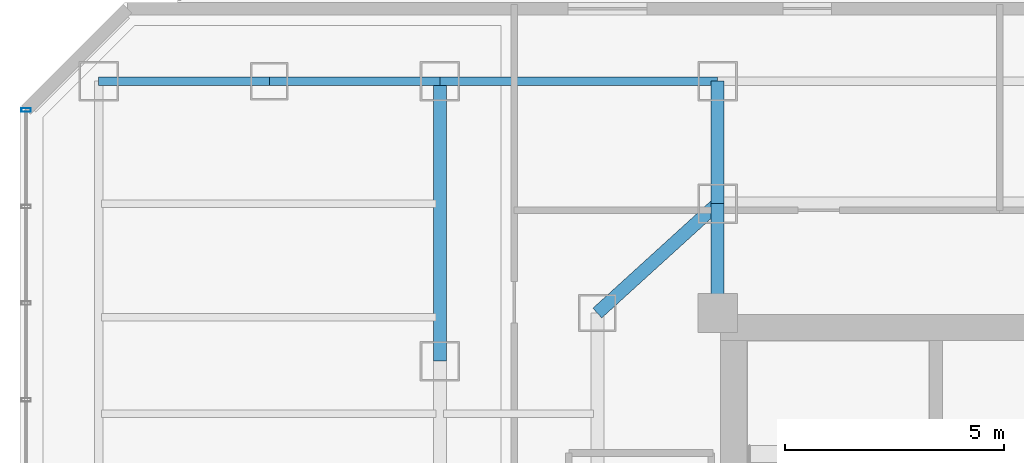
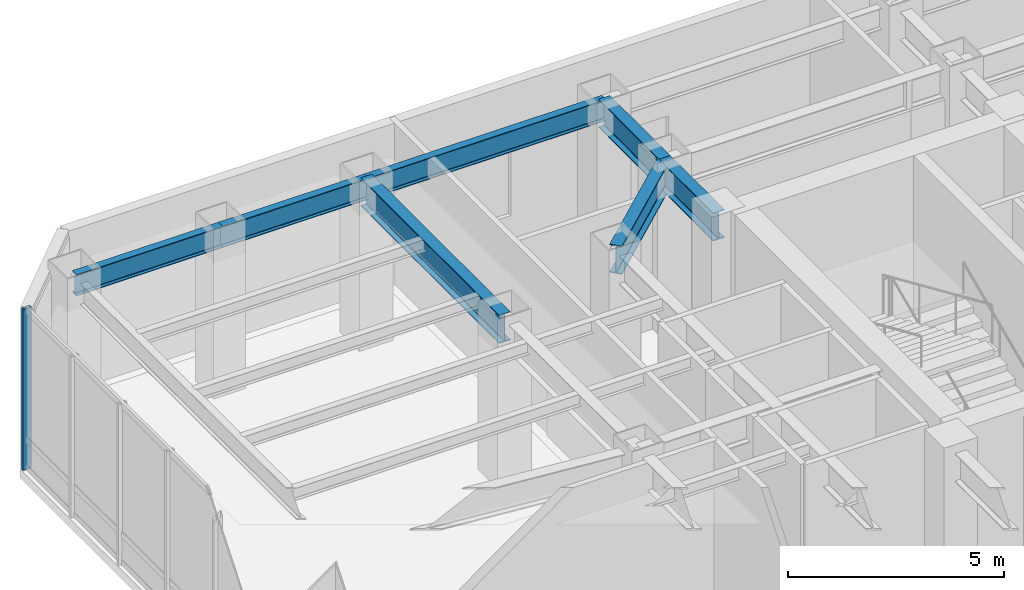
# One storey, part 15 of 27: 7 beams, 1 member, 1 element without a shape of its own.
"""IFC4 building model written with IfcOpenShell, lengths in metres."""

from ifc_helpers import new_model, si_unit, direction, frame, origin, origin_2d, place, context, subcontext, project, spatial, hollow_rectangle, i_section, extrude, material, layer, layer_set, material_profile, profile_set, type_object, element, aggregate, save


model = new_model("IFC4")

# Units and contexts
model_context = context("Model", 3, precision=1e-05, world=origin(), true_north=direction((0.0, 1.0)))
body_context = subcontext(model_context, "Body", "Model", "MODEL_VIEW")
ifc_project = project(units=[si_unit("LENGTHUNIT", "METRE"), si_unit("AREAUNIT", "SQUARE_METRE"), si_unit("VOLUMEUNIT", "CUBIC_METRE"), si_unit("PLANEANGLEUNIT", "RADIAN"), si_unit("MASSUNIT", "GRAM", prefix="KILO")], contexts=[model_context])

# Site, building, storey
site_placement = place(None, origin())
site = spatial("IfcSite", under=ifc_project, at=site_placement, CompositionType="ELEMENT")
building_placement = place(site_placement, origin())
building = spatial("IfcBuilding", under=site, at=building_placement, Name="Hatsunagi Terrace Concourse", CompositionType="ELEMENT")
storey_placement = place(building_placement, frame((0.0, 0.0, 96.449951171875)))
storey = spatial("IfcBuildingStorey", under=building, at=storey_placement, Name="L25", CompositionType="ELEMENT", Elevation=96.449951171875)

# Curtain wall, member
ifc_material_1 = material(Name="Anodised Aluminium Alloy 6063-T5", Category="aluminium")
ifc_layer = layer(ifc_material_1, 0.199951171875)
ifc_layer_set = layer_set([ifc_layer], Name="SkyLobbyAtrium_CW05")
curtain_wall_type = type_object("IfcCurtainWallType", Name="SkyLobbyAtrium_CW05", PredefinedType="NOTDEFINED", material=ifc_layer_set)
curtain_wall_placement = place(storey_placement, origin())
curtain_wall = element("IfcCurtainWall", 1, at=curtain_wall_placement, inside=storey, type_object=curtain_wall_type, Name="Unitised Curtain Wall CW-05 CW-L25-09", PredefinedType="NOTDEFINED")
ifc_material_2 = material(Name="Anodised Aluminium Alloy 6063-T5", Category="aluminium")
ifc_material_profile_1 = material_profile(ifc_material_2, hollow_rectangle(XDim=0.080078125, YDim=0.219970703125, WallThickness=0.0048828125, at=origin_2d()), Name="ALU-MUL-220x80x5")
ifc_profile_set_1 = profile_set([ifc_material_profile_1], Name="Anodised Aluminium Alloy 6063-T5")
member_type = type_object("IfcMemberType", Name="CurtainWallMullion_Heavy_220x80", PredefinedType="MULLION", material=ifc_profile_set_1)
member_placement = place(storey_placement, frame((9.739990234375, 47.94189453125, 0.0), z_axis=(0.0, 0.0, 1.0), x_axis=(0.0, 1.0, 0.0)))
member = element("IfcMember", 2, at=member_placement, type_object=member_type, Name="Curtain Wall Mullion MUL-01", PredefinedType="MULLION", context=body_context, shape_type="SweptSolid", body=[
    extrude(hollow_rectangle(XDim=0.080078125, YDim=0.219970703125, WallThickness=0.0048828125, at=origin_2d()), origin(), (0.0, 0.0, 1.0), 4.550048828125),
])
aggregate(curtain_wall, [member])

# Beams
ifc_material_3 = material(Name="Steel SN490B", Category="steel")
ifc_material_profile_2 = material_profile(ifc_material_3, i_section(OverallWidth=0.199951171875, OverallDepth=0.60009765625, WebThickness=0.010986328125, FlangeThickness=0.01708984375, FilletRadius=0.01806640625, at=origin_2d()), Name="H-600x200x11x17")
ifc_profile_set_2 = profile_set([ifc_material_profile_2], Name="Steel SN490B")
beam_type_1 = type_object("IfcBeamType", Name="PerimeterSpandrel_H_600x200", PredefinedType="SPANDREL", material=ifc_profile_set_2)
beam_1_placement = place(storey_placement, frame((11.39990234375, 48.60009765625, 4.25), z_axis=(1.0, 0.0, 0.0), x_axis=(0.0, 1.0, 0.0)))
element("IfcBeam", 3, at=beam_1_placement, inside=storey, type_object=beam_type_1, Name="Beam SP-01 BM-L25-WN-11", PredefinedType="SPANDREL", context=body_context, shape_type="SweptSolid", body=[
    extrude(i_section(OverallWidth=0.199951171875, OverallDepth=0.60009765625, WebThickness=0.010986328125, FlangeThickness=0.01708984375, FilletRadius=0.01806640625, at=origin_2d()), origin(), (0.0, 0.0, 1.0), 3.900146484375),
])
beam_2_placement = place(storey_placement, frame((15.300048828125, 48.60009765625, 4.25), z_axis=(1.0, 0.0, 0.0), x_axis=(0.0, 1.0, 0.0)))
element("IfcBeam", 4, at=beam_2_placement, inside=storey, type_object=beam_type_1, Name="Beam SP-01 BM-L25-WN-15", PredefinedType="SPANDREL", context=body_context, shape_type="SweptSolid", body=[
    extrude(i_section(OverallWidth=0.199951171875, OverallDepth=0.60009765625, WebThickness=0.010986328125, FlangeThickness=0.01708984375, FilletRadius=0.01806640625, at=origin_2d()), origin(), (0.0, 0.0, 1.0), 3.89990234375),
])
beam_3_placement = place(storey_placement, frame((19.199951171875, 48.60009765625, 4.25), z_axis=(1.0, 0.0, 0.0), x_axis=(0.0, 1.0, 0.0)))
element("IfcBeam", 5, at=beam_3_placement, inside=storey, type_object=beam_type_1, Name="Beam SP-01 BM-L25-WN-19", PredefinedType="SPANDREL", context=body_context, shape_type="SweptSolid", body=[
    extrude(i_section(OverallWidth=0.199951171875, OverallDepth=0.60009765625, WebThickness=0.010986328125, FlangeThickness=0.01708984375, FilletRadius=0.01806640625, at=origin_2d()), origin(), (0.0, 0.0, 1.0), 6.35009765625),
])
ifc_material_4 = material(Name="Steel SN490B", Category="steel")
ifc_material_profile_3 = material_profile(ifc_material_4, i_section(OverallWidth=0.300048828125, OverallDepth=0.800048828125, WebThickness=0.013916015625, FlangeThickness=0.02587890625, FilletRadius=0.02197265625, at=origin_2d()), Name="H-800x300x14x26")
ifc_profile_set_3 = profile_set([ifc_material_profile_3], Name="Steel SN490B")
beam_type_2 = type_object("IfcBeamType", Name="SkyLobbyGirder_H_800x300", PredefinedType="BEAM", material=ifc_profile_set_3)
beam_4_placement = place(storey_placement, frame((25.550048828125, 43.300048828125, 4.150146484375), z_axis=(0.0, 1.0, 0.0), x_axis=(-1.0, 0.0, 0.0)))
element("IfcBeam", 6, at=beam_4_placement, inside=storey, type_object=beam_type_2, Name="Beam G-03 BM-L25-CN1", PredefinedType="BEAM", context=body_context, shape_type="SweptSolid", body=[
    extrude(i_section(OverallWidth=0.300048828125, OverallDepth=0.800048828125, WebThickness=0.013916015625, FlangeThickness=0.02587890625, FilletRadius=0.02197265625, at=origin_2d()), origin(), (0.0, 0.0, 1.0), 2.5),
])
beam_5_placement = place(storey_placement, frame((25.550048828125, 45.800048828125, 4.150146484375), z_axis=(0.0, 1.0, 0.0), x_axis=(-1.0, 0.0, 0.0)))
element("IfcBeam", 7, at=beam_5_placement, inside=storey, type_object=beam_type_2, Name="Beam G-03 BM-L25-KN-WN4", PredefinedType="BEAM", context=body_context, shape_type="SweptSolid", body=[
    extrude(i_section(OverallWidth=0.300048828125, OverallDepth=0.800048828125, WebThickness=0.013916015625, FlangeThickness=0.02587890625, FilletRadius=0.02197265625, at=origin_2d()), origin(), (0.0, 0.0, 1.0), 2.800048828125),
])
beam_6_placement = place(storey_placement, frame((22.800048828125, 43.300048828125, 4.150146484375), z_axis=(0.739940073396, 0.672672793996, 0.0), x_axis=(-0.672672793996, 0.739940073396, 0.0)))
element("IfcBeam", 8, at=beam_6_placement, inside=storey, type_object=beam_type_2, Name="Beam G-03 BM-L25-CWEW-N", PredefinedType="BEAM", context=body_context, shape_type="SweptSolid", body=[
    extrude(i_section(OverallWidth=0.300048828125, OverallDepth=0.800048828125, WebThickness=0.013916015625, FlangeThickness=0.02587890625, FilletRadius=0.02197265625, at=origin_2d()), origin(), (0.0, 0.0, 1.0), 3.716552734375),
])
beam_7_placement = place(storey_placement, frame((19.199951171875, 42.199951171875, 4.150146484375), z_axis=(0.0, 1.0, 0.0), x_axis=(-1.0, 0.0, 0.0)))
element("IfcBeam", 9, at=beam_7_placement, inside=storey, type_object=beam_type_2, Name="Beam G-03 BM-L25-NS-19-42", PredefinedType="BEAM", context=body_context, shape_type="SweptSolid", body=[
    extrude(i_section(OverallWidth=0.300048828125, OverallDepth=0.800048828125, WebThickness=0.013916015625, FlangeThickness=0.02587890625, FilletRadius=0.02197265625, at=origin_2d()), origin(), (0.0, 0.0, 1.0), 6.400146484375),
])

save(model, "model.ifc")
